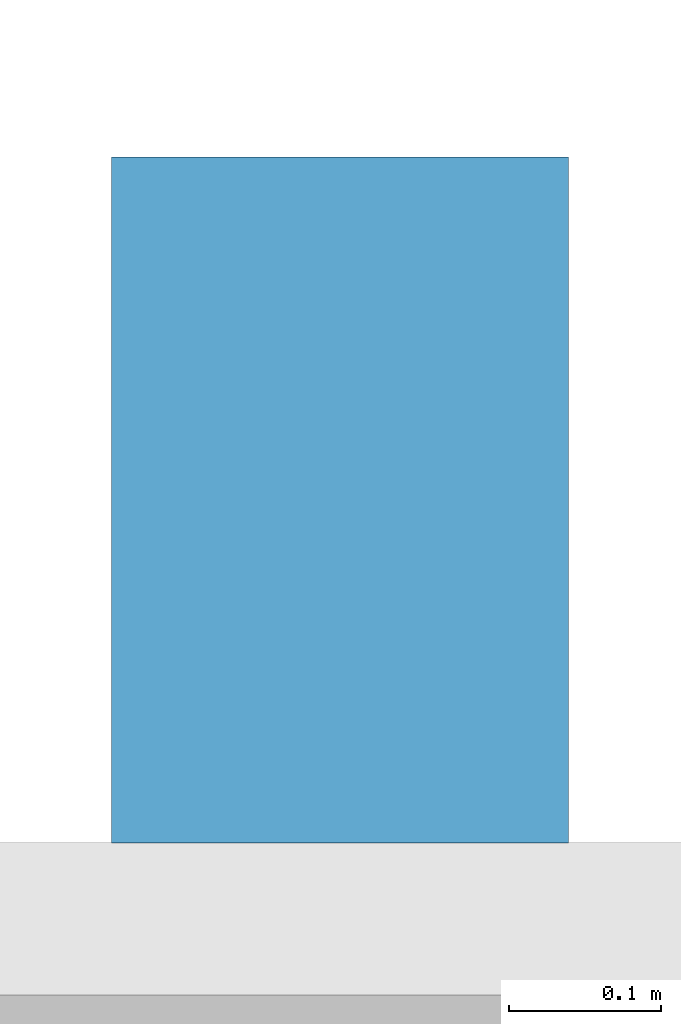
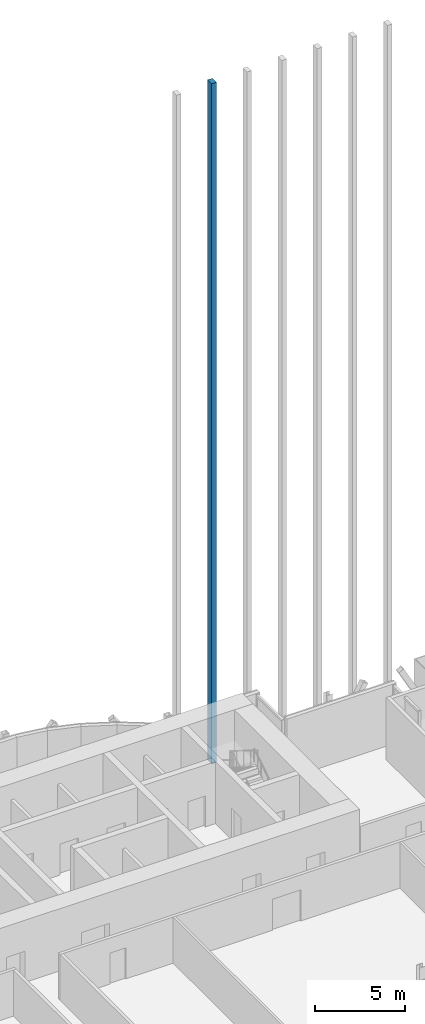
# One storey, part 16 of 28: 1 member, 1 element without a shape of its own.
"""IFC4 building model written with IfcOpenShell, lengths in metres."""

from ifc_helpers import new_model, si_unit, direction, frame, origin, origin_2d, place, context, subcontext, project, spatial, rectangle, extrude, material, material_profile, profile_set, type_object, element, aggregate, save


model = new_model("IFC4")

# Units and contexts
model_context = context("Model", 3, precision=1e-05, world=origin(), true_north=direction((0.0, 1.0)))
body_context = subcontext(model_context, "Body", "Model", "MODEL_VIEW")
ifc_project = project(units=[si_unit("LENGTHUNIT", "METRE"), si_unit("AREAUNIT", "SQUARE_METRE"), si_unit("VOLUMEUNIT", "CUBIC_METRE"), si_unit("PLANEANGLEUNIT", "RADIAN"), si_unit("MASSUNIT", "GRAM", prefix="KILO")], contexts=[model_context])

# Site, building, storey
site_placement = place(None, origin())
site = spatial("IfcSite", under=ifc_project, at=site_placement, CompositionType="ELEMENT")
building_placement = place(site_placement, origin())
building = spatial("IfcBuilding", under=site, at=building_placement, Name="Bicima Exchange Tower", CompositionType="ELEMENT")
storey_placement = place(building_placement, frame((0.0, 0.0, 241.39990234375)))
storey = spatial("IfcBuildingStorey", under=building, at=storey_placement, Name="L54", CompositionType="ELEMENT", Elevation=241.39990234375)

# Curtain wall, member
ifc_material = material(Name="Anodised bronze aluminium", Category="aluminium")
curtain_wall_type = type_object("IfcCurtainWallType", Name="Rear blade screen", PredefinedType="NOTDEFINED", material=ifc_material)
curtain_wall_placement = place(storey_placement, origin())
curtain_wall = element("IfcCurtainWall", 1, at=curtain_wall_placement, inside=storey, type_object=curtain_wall_type, Name="Rear blade screen L54-L64 E", PredefinedType="NOTDEFINED")
ifc_material_profile = material_profile(ifc_material, rectangle(XDim=0.449951171875, YDim=0.300048828125, at=origin_2d()))
ifc_profile_set = profile_set([ifc_material_profile], Name="Anodised bronze aluminium")
member_type = type_object("IfcMemberType", Name="Rear blade fin 450 x 300", PredefinedType="USERDEFINED", material=ifc_profile_set)
member_placement = place(storey_placement, frame((20.25, 0.324951171875, 0.0), z_axis=(0.0, 0.0, 1.0), x_axis=(0.0, 1.0, 0.0)))
member = element("IfcMember", 2, at=member_placement, type_object=member_type, Name="Rear blade fin L54-L64 14", ObjectType="FIN", PredefinedType="USERDEFINED", context=body_context, shape_type="SweptSolid", body=[
    extrude(rectangle(XDim=0.449951171875, YDim=0.300048828125, at=origin_2d()), origin(), (0.0, 0.0, 1.0), 46.0),
])
aggregate(curtain_wall, [member])

save(model, "model.ifc")
